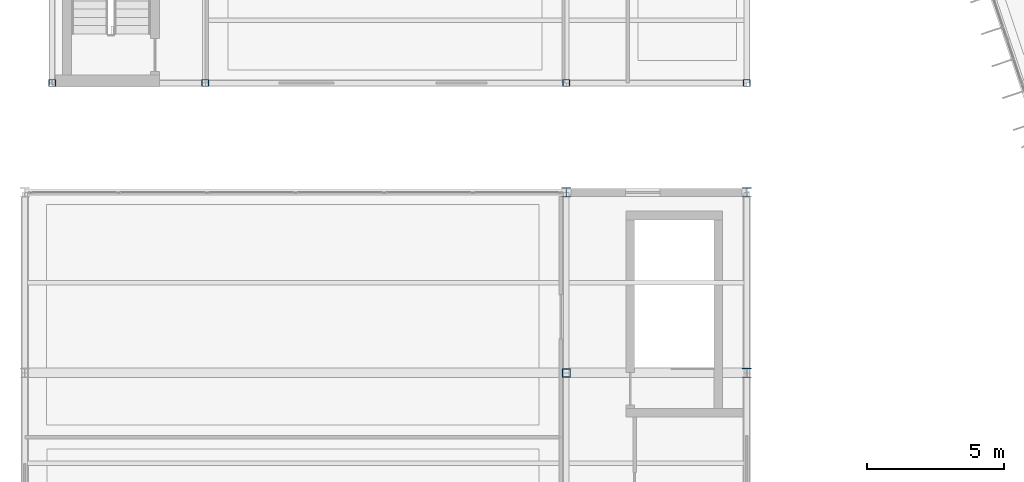
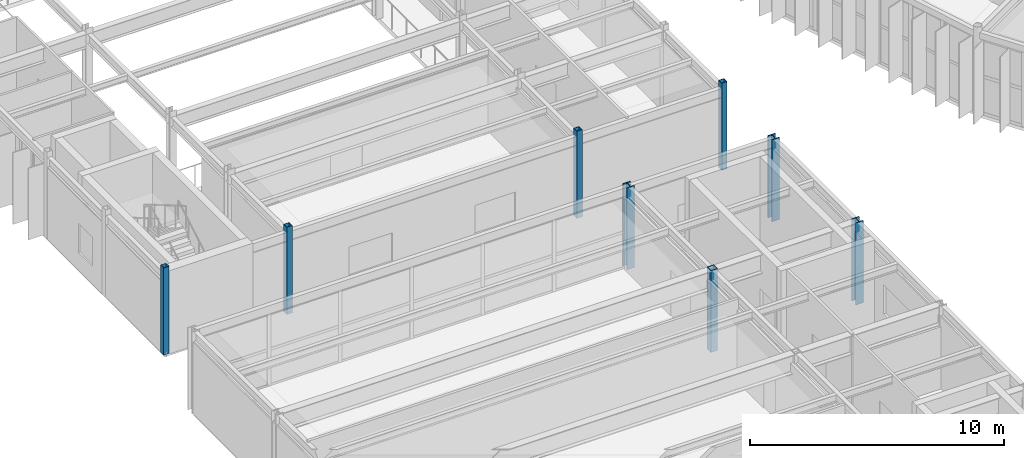
# One storey, part 2 of 147: 8 columns.
"""IFC4 building model written with IfcOpenShell, lengths in metres."""

from ifc_helpers import new_model, si_unit, direction, frame, origin, origin_2d, place, context, subcontext, project, spatial, hollow_rectangle, i_section, extrude, material, material_profile, profile_set, type_object, element, save


model = new_model("IFC4")

# Units and contexts
model_context = context("Model", 3, precision=1e-05, world=origin(), true_north=direction((0.0, 1.0)))
body_context = subcontext(model_context, "Body", "Model", "MODEL_VIEW")
ifc_project = project(units=[si_unit("LENGTHUNIT", "METRE"), si_unit("AREAUNIT", "SQUARE_METRE"), si_unit("VOLUMEUNIT", "CUBIC_METRE"), si_unit("PLANEANGLEUNIT", "RADIAN"), si_unit("MASSUNIT", "GRAM", prefix="KILO")], contexts=[model_context])

# Site, building, storey
site_placement = place(None, origin())
site = spatial("IfcSite", under=ifc_project, at=site_placement, CompositionType="ELEMENT")
building_placement = place(site_placement, origin())
building = spatial("IfcBuilding", under=site, at=building_placement, Name="Karori Crest Natural Sciences Institute", CompositionType="ELEMENT")
storey_placement = place(building_placement, frame((0.0, 0.0, 9.10009765625)))
storey = spatial("IfcBuildingStorey", under=building, at=storey_placement, Name="L02", CompositionType="ELEMENT", Elevation=9.10009765625)

# Columns
ifc_material_1 = material(Name="Structural steel AS/NZS 3679.1 Grade 350", Category="steel")
ifc_material_profile_1 = material_profile(ifc_material_1, i_section(OverallWidth=0.35009765625, OverallDepth=0.35009765625, WebThickness=0.02001953125, FlangeThickness=0.031982421875, FilletRadius=0.01611328125, at=origin_2d()), Name="350WC280")
ifc_profile_set_1 = profile_set([ifc_material_profile_1], Name="Structural steel AS/NZS 3679.1 Grade 350")
column_type_1 = type_object("IfcColumnType", Name="CT-03-EL", PredefinedType="COLUMN", material=ifc_profile_set_1)
for number, where, z_axis, x_axis, name in (
    (1, (20.60009765625, 27.199951171875, 0.0), (0.0, 0.0, 1.0), (1.0, 0.0, 0.0), "Column C-0508"),
    (2, (27.199951171875, 20.60009765625, 0.0), (0.0, 0.0, 1.0), (1.0, 0.0, 0.0), "Column C-0524"),
    (3, (27.199951171875, 27.199951171875, 0.0), (0.0, 0.0, 1.0), (1.0, 0.0, 0.0), "Column C-0528"),
):
    element("IfcColumn", number, at=place(storey_placement, frame(where, z_axis=z_axis, x_axis=x_axis)), inside=storey, type_object=column_type_1, Name=name, PredefinedType="COLUMN", context=body_context, shape_type="SweptSolid", body=[
        extrude(i_section(OverallWidth=0.35009765625, OverallDepth=0.35009765625, WebThickness=0.02001953125, FlangeThickness=0.031982421875, FilletRadius=0.01611328125, at=origin_2d()), origin(), (0.0, 0.0, 1.0), 3.949951171875),
    ])
ifc_material_2 = material(Name="Hollow structural steel AS/NZS 1163 Grade C350", Category="steel")
ifc_material_profile_2 = material_profile(ifc_material_2, hollow_rectangle(XDim=0.300048828125, YDim=0.300048828125, WallThickness=0.012451171875, at=origin_2d()), Name="SHS300x300x12.5")
ifc_profile_set_2 = profile_set([ifc_material_profile_2], Name="Hollow structural steel AS/NZS 1163 Grade C350")
column_type_2 = type_object("IfcColumnType", Name="CT-11", PredefinedType="COLUMN", material=ifc_profile_set_2)
column_placement = place(storey_placement, frame((20.60009765625, 20.60009765625, 0.0), z_axis=(0.0, 0.0, 1.0), x_axis=(1.0, 0.0, 0.0)))
element("IfcColumn", 4, at=column_placement, inside=storey, type_object=column_type_2, Name="Column C-0504", PredefinedType="COLUMN", context=body_context, shape_type="SweptSolid", body=[
    extrude(hollow_rectangle(XDim=0.300048828125, YDim=0.300048828125, WallThickness=0.012451171875, at=origin_2d()), origin(), (0.0, 0.0, 1.0), 3.949951171875),
])
ifc_material_profile_3 = material_profile(ifc_material_2, hollow_rectangle(XDim=0.25, YDim=0.25, WallThickness=0.012451171875, at=origin_2d()), Name="SHS250x250x12.5")
ifc_profile_set_3 = profile_set([ifc_material_profile_3], Name="Hollow structural steel AS/NZS 1163 Grade C350")
column_type_3 = type_object("IfcColumnType", Name="CT-12", PredefinedType="COLUMN", material=ifc_profile_set_3)
for number, where, z_axis, x_axis, name in (
    (5, (1.800048828125, 31.199951171875, 0.0), (0.0, 0.0, 1.0), (1.0, 0.0, 0.0), "Column C-0532"),
    (6, (7.39990234375, 31.199951171875, 0.0), (0.0, 0.0, 1.0), (1.0, 0.0, 0.0), "Column C-0577"),
    (7, (20.60009765625, 31.199951171875, 0.0), (0.0, 0.0, 1.0), (1.0, 0.0, 0.0), "Column C-0622"),
    (8, (27.199951171875, 31.199951171875, 0.0), (0.0, 0.0, 1.0), (1.0, 0.0, 0.0), "Column C-0667"),
):
    element("IfcColumn", number, at=place(storey_placement, frame(where, z_axis=z_axis, x_axis=x_axis)), inside=storey, type_object=column_type_3, Name=name, PredefinedType="COLUMN", context=body_context, shape_type="SweptSolid", body=[
        extrude(hollow_rectangle(XDim=0.25, YDim=0.25, WallThickness=0.012451171875, at=origin_2d()), origin(), (0.0, 0.0, 1.0), 4.199951171875),
    ])

save(model, "model.ifc")
